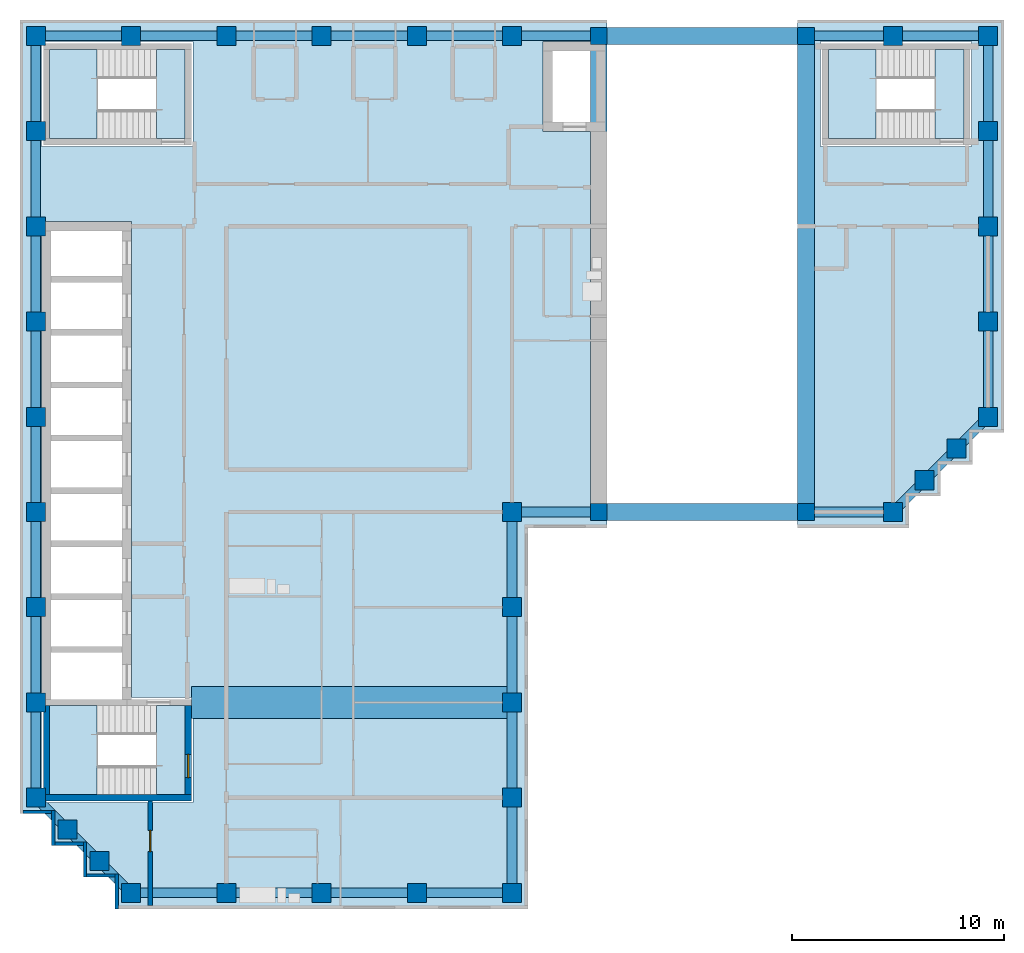
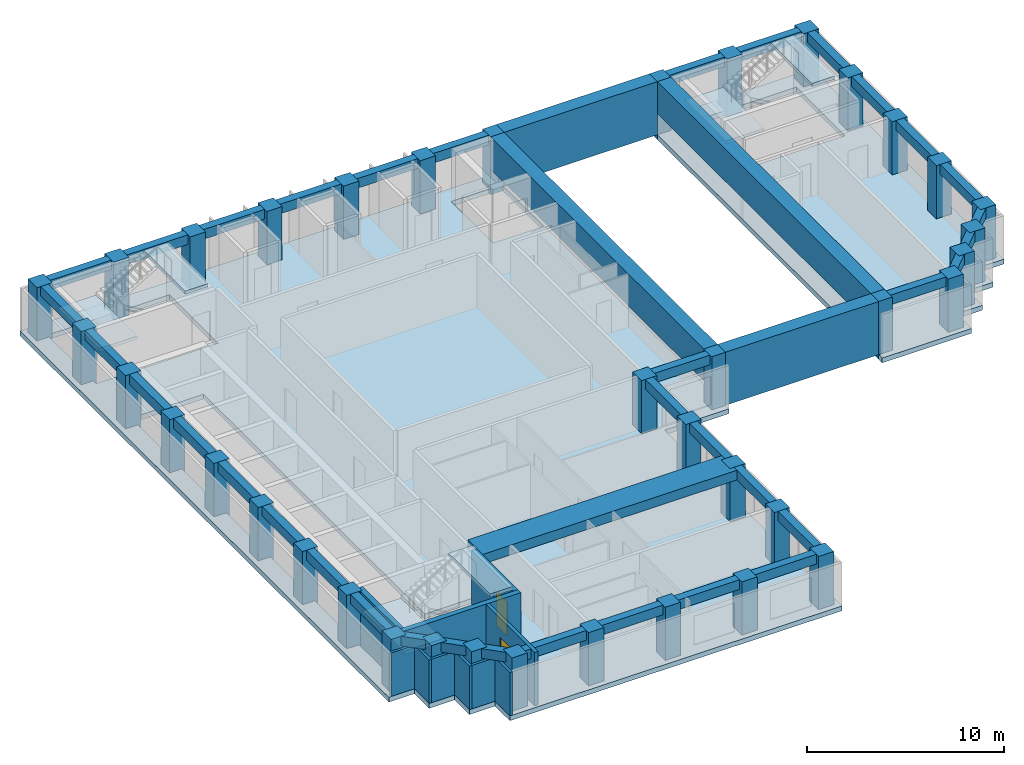
# One storey, part 1 of 7: 41 beams, 38 columns, 10 walls, 8 slabs, 2 doors, 2 openings, 3 elements without a shape of their own.
"""IFC4 building model written with IfcOpenShell, lengths in metres."""

import ifcopenshell
import ifcopenshell.guid

model = None  # the IFC model being written
_history = None  # IfcOwnerHistory: only IFC2X3 demands one
_inside = {}  # id of a spatial element -> (the spatial element, [elements in it])
_under = {}  # id of a project, library or spatial element -> (it, [spatial elements below it])
_declared = {}  # id of a project -> (the project, [libraries it declares])
_typed = {}  # id of a type object -> (the type object, [elements of that type])
_made_of = {}  # id of a material, layer set ... -> (it, [elements and type objects made of it])


def new_model(schema):
    """Start an empty IFC model of exactly this schema.

    Asked for "IFC4X3", IfcOpenShell would pick the latest addendum, in which some entities
    have other attributes; the version numbers below select the first issue.
    IFC2X3 requires an IfcOwnerHistory on every rooted entity: one is made here for all.
    """
    global model, _history
    if schema == "IFC4X3":
        model = ifcopenshell.file(schema_version=(4, 3, 0, 0))
    else:
        model = ifcopenshell.file(schema=schema)
    _inside.clear()
    _under.clear()
    _declared.clear()
    _typed.clear()
    _made_of.clear()
    _history = None
    if model.schema == "IFC2X3":
        org = make("IfcOrganization", Name="unknown")
        user = make(
            "IfcPersonAndOrganization",
            ThePerson=make("IfcPerson", FamilyName="unknown"),
            TheOrganization=org,
        )
        app = make(
            "IfcApplication",
            ApplicationDeveloper=org,
            Version="unknown",
            ApplicationFullName="unknown",
            ApplicationIdentifier="unknown",
        )
        _history = make(
            "IfcOwnerHistory",
            OwningUser=user,
            OwningApplication=app,
            ChangeAction="ADDED",
            CreationDate=0,
        )
    return model


def make(cls, **values):
    """One entity of the class cls with the attributes given. An attribute that is None is left unset."""
    return model.create_entity(
        cls, **{name: value for name, value in values.items() if value is not None}
    )


def rooted(cls, **values):
    """An entity with a GlobalId (a new one), such as an element, a storey or a relation."""
    return make(cls, GlobalId=ifcopenshell.guid.new(), OwnerHistory=_history, **values)


def si_unit(unit_type, name, prefix=None):
    """IfcSIUnit, for example si_unit("LENGTHUNIT", "METRE", prefix="MILLI")."""
    return make("IfcSIUnit", UnitType=unit_type, Prefix=prefix, Name=name)


def assignment(units):
    """IfcUnitAssignment: the units of a project."""
    return None if units is None else make("IfcUnitAssignment", Units=units)


def point(xyz):
    """IfcCartesianPoint."""
    return None if xyz is None else make("IfcCartesianPoint", Coordinates=xyz)


def direction(xyz):
    """IfcDirection."""
    return None if xyz is None else make("IfcDirection", DirectionRatios=xyz)


def frame(location, z_axis=None, x_axis=None):
    """IfcAxis2Placement3D, a coordinate frame: its origin and axes. An axis left out is left unset."""
    return make(
        "IfcAxis2Placement3D",
        Location=point(location),
        Axis=direction(z_axis),
        RefDirection=direction(x_axis),
    )


def frame_2d(location, x_axis=None):
    """IfcAxis2Placement2D, a coordinate frame in the plane: its origin and x axis."""
    return make(
        "IfcAxis2Placement2D", Location=point(location), RefDirection=direction(x_axis)
    )


def origin():
    """The frame at (0, 0, 0) with its axes left unset."""
    return frame((0.0, 0.0, 0.0))


def origin_2d():
    """The frame at (0, 0) in the plane with its x axis left unset."""
    return frame_2d((0.0, 0.0))


def place(relative_to, where):
    """IfcLocalPlacement: puts the frame where relative to a parent placement (None: the world)."""
    return make(
        "IfcLocalPlacement", PlacementRelTo=relative_to, RelativePlacement=where
    )


def context(
    kind, dimensions, precision=None, world=None, true_north=None, identifier=None
):
    """IfcGeometricRepresentationContext, for example the 3D "Model" context."""
    return make(
        "IfcGeometricRepresentationContext",
        ContextIdentifier=identifier,
        ContextType=kind,
        CoordinateSpaceDimension=dimensions,
        Precision=precision,
        WorldCoordinateSystem=world,
        TrueNorth=true_north,
    )


def subcontext(parent, identifier, kind, view, scale=None):
    """IfcGeometricRepresentationSubContext, for example "Body" below "Model"."""
    return make(
        "IfcGeometricRepresentationSubContext",
        ContextIdentifier=identifier,
        ContextType=kind,
        ParentContext=parent,
        TargetScale=scale,
        TargetView=view,
    )


def project(units=None, contexts=None):
    """IfcProject with its units and contexts."""
    return rooted(
        "IfcProject",
        Name="project",
        RepresentationContexts=contexts,
        UnitsInContext=assignment(units),
    )


def spatial(cls, under=None, at=None, **own):
    """A site, building, storey or space (cls), placed at a placement, below another one or the project."""
    s = rooted(cls, ObjectPlacement=at, **own)
    if under is not None:
        _under.setdefault(under.id(), (under, []))[1].append(s)
    return s


def polyline(points):
    """IfcPolyline through the points."""
    return make("IfcPolyline", Points=[point(p) for p in points])


def profile(cls, at=None, kind="AREA", **sizes):
    """A parametric profile (cls). Its sizes go by their IFC names, for example OverallWidth=200.0."""
    return make(cls, ProfileType=kind, Position=at, **sizes)


def rectangle(**sizes):
    """IfcRectangleProfileDef."""
    return profile("IfcRectangleProfileDef", **sizes)


def outline(outer, holes=None, kind="AREA"):
    """IfcArbitraryClosedProfileDef: a profile drawn as a closed curve; with holes, ...WithVoids."""
    if holes is None:
        return make("IfcArbitraryClosedProfileDef", ProfileType=kind, OuterCurve=outer)
    return make(
        "IfcArbitraryProfileDefWithVoids",
        ProfileType=kind,
        OuterCurve=outer,
        InnerCurves=holes,
    )


def extrude(swept, where, along, depth):
    """IfcExtrudedAreaSolid: the profile swept, set in the frame where, extruded along a direction by depth."""
    return make(
        "IfcExtrudedAreaSolid",
        SweptArea=swept,
        Position=where,
        ExtrudedDirection=direction(along),
        Depth=depth,
    )


def shape(context_of_items, identifier, shape_type, items):
    """IfcShapeRepresentation: the items that make up one representation, for example the "Body"."""
    return make(
        "IfcShapeRepresentation",
        ContextOfItems=context_of_items,
        RepresentationIdentifier=identifier,
        RepresentationType=shape_type,
        Items=items,
    )


def material(Name=None, Category=None):
    """IfcMaterial."""
    return make("IfcMaterial", Name=Name, Category=Category)


def layer(
    of_material, thickness, ventilated=None, Name=None, Category=None, Priority=None
):
    """IfcMaterialLayer: one layer of a wall or slab, of a material (None: an air gap)."""
    return make(
        "IfcMaterialLayer",
        Material=of_material,
        LayerThickness=thickness,
        IsVentilated=ventilated,
        Name=Name,
        Category=Category,
        Priority=Priority,
    )


def layer_set(layers, Name=None):
    """IfcMaterialLayerSet."""
    return make("IfcMaterialLayerSet", MaterialLayers=layers, LayerSetName=Name)


def material_profile(
    of_material, cross_section, Name=None, Category=None, Priority=None
):
    """IfcMaterialProfile: a cross section and its material."""
    return make(
        "IfcMaterialProfile",
        Name=Name,
        Material=of_material,
        Profile=cross_section,
        Priority=Priority,
        Category=Category,
    )


def profile_set(profiles, Name=None, composite=None):
    """IfcMaterialProfileSet."""
    return make(
        "IfcMaterialProfileSet",
        Name=Name,
        MaterialProfiles=profiles,
        CompositeProfile=composite,
    )


def made_of(thing, what):
    """Note that an element or type object is made of a material, layer set ...; save() writes the relation."""
    if what is not None:
        _made_of.setdefault(what.id(), (what, []))[1].append(thing)
    return thing


def type_object(cls, material=None, **own):
    """A type object (cls), such as IfcWallType, which elements share."""
    return made_of(rooted(cls, **own), material)


def element(
    cls,
    number,
    at=None,
    inside=None,
    cuts=None,
    type_object=None,
    material=None,
    context=None,
    identifier="Body",
    shape_type=None,
    held_by="IfcProductDefinitionShape",
    body=None,
    shapes=None,
    **own,
):
    """One element of the class cls, such as IfcWall. Its Tag is "e" and its number.

    at: its placement. inside: the storey or other place that contains it. cuts: it is an
    opening in that element (IfcRelVoidsElement). A single representation is given by context,
    identifier, shape_type and body (its items); several are given by shapes. held_by: the class
    of the entity that holds the representations. save() writes the other relations.
    """
    e = rooted(cls, Tag="e%d" % number, ObjectPlacement=at, **own)
    if body is not None:
        shapes = [shape(context, identifier, shape_type, body)]
    if shapes is not None:
        e.Representation = make(held_by, Representations=shapes)
    if inside is not None:
        _inside.setdefault(inside.id(), (inside, []))[1].append(e)
    if cuts is not None:
        rooted(
            "IfcRelVoidsElement", RelatingBuildingElement=cuts, RelatedOpeningElement=e
        )
    if type_object is not None:
        _typed.setdefault(type_object.id(), (type_object, []))[1].append(e)
    return made_of(e, material)


def fill(opening, filler):
    """IfcRelFillsElement: the door or window that sits in an opening."""
    return rooted(
        "IfcRelFillsElement",
        RelatingOpeningElement=opening,
        RelatedBuildingElement=filler,
    )


def aggregate(whole, parts):
    """IfcRelAggregates: a whole, such as a stair, and the parts it consists of."""
    return rooted("IfcRelAggregates", RelatingObject=whole, RelatedObjects=parts)


def save(model, path):
    """Write the relations noted so far, then the file.

    IfcRelAggregates (storeys below a building ...), IfcRelContainedInSpatialStructure (elements
    in a storey), IfcRelDefinesByType, IfcRelAssociatesMaterial and IfcRelDeclares: one each for
    every whole, place, type object, material and project.
    """
    for whole, parts in _under.values():
        aggregate(whole, parts)
    for where, things in _inside.values():
        rooted(
            "IfcRelContainedInSpatialStructure",
            RelatedElements=things,
            RelatingStructure=where,
        )
    for kind, things in _typed.values():
        rooted("IfcRelDefinesByType", RelatedObjects=things, RelatingType=kind)
    for what, things in _made_of.values():
        rooted("IfcRelAssociatesMaterial", RelatedObjects=things, RelatingMaterial=what)
    for by, libraries in _declared.values():
        rooted("IfcRelDeclares", RelatingContext=by, RelatedDefinitions=libraries)
    model.write(path)


model = new_model("IFC4")

# Units and contexts
model_context = context("Model", 3, precision=1e-05, world=origin(), true_north=direction((0.0, 1.0)))
body_context = subcontext(model_context, "Body", "Model", "MODEL_VIEW")
ifc_project = project(units=[si_unit("LENGTHUNIT", "METRE"), si_unit("AREAUNIT", "SQUARE_METRE"), si_unit("VOLUMEUNIT", "CUBIC_METRE"), si_unit("PLANEANGLEUNIT", "RADIAN"), si_unit("MASSUNIT", "GRAM", prefix="KILO")], contexts=[model_context])

# Site, building, storey
site_placement = place(None, origin())
site = spatial("IfcSite", under=ifc_project, at=site_placement, CompositionType="ELEMENT")
building_placement = place(site_placement, origin())
building = spatial("IfcBuilding", under=site, at=building_placement, Name="Firuza Court", CompositionType="ELEMENT")
storey_placement = place(building_placement, frame((0.0, 0.0, 247.39990234375)))
storey = spatial("IfcBuildingStorey", under=building, at=storey_placement, Name="L64", CompositionType="ELEMENT", Elevation=247.39990234375)

# Columns
ifc_material_1 = material(Name="Concrete C60/75", Category="concrete")
ifc_material_profile_1 = material_profile(ifc_material_1, rectangle(XDim=0.800048828125, YDim=0.800048828125, at=origin_2d()), Name="RC 800x800")
ifc_profile_set_1 = profile_set([ifc_material_profile_1], Name="Concrete C60/75")
column_type_1 = type_object("IfcColumnType", Name="Portal frame column RC 800x800 C60/75", PredefinedType="COLUMN", material=ifc_profile_set_1)
for number, where, z_axis, x_axis, name in (
    (1, (26.60009765625, 36.0, -0.2998046875), (0.0, 0.0, 1.0), (1.0, 0.0, 0.0), "Column C-PWS L64"),
    (2, (36.39990234375, 36.0, -0.2998046875), (0.0, 0.0, 1.0), (1.0, 0.0, 0.0), "Column C-PES L64"),
    (3, (26.60009765625, 58.5, -0.2998046875), (0.0, 0.0, 1.0), (1.0, 0.0, 0.0), "Column C-PWN L64"),
    (4, (36.39990234375, 58.5, -0.2998046875), (0.0, 0.0, 1.0), (1.0, 0.0, 0.0), "Column C-PEN L64"),
):
    element("IfcColumn", number, at=place(storey_placement, frame(where, z_axis=z_axis, x_axis=x_axis)), inside=storey, type_object=column_type_1, Name=name, PredefinedType="COLUMN", context=body_context, shape_type="SweptSolid", body=[
        extrude(rectangle(XDim=0.800048828125, YDim=0.800048828125, at=origin_2d()), origin(), (0.0, 0.0, 1.0), 3.599853515625),
    ])
ifc_material_2 = material(Name="Concrete C50/60", Category="concrete")
ifc_material_profile_2 = material_profile(ifc_material_2, rectangle(XDim=0.89990234375, YDim=0.89990234375, at=origin_2d()), Name="RC 900x900")
ifc_profile_set_2 = profile_set([ifc_material_profile_2], Name="Concrete C50/60")
column_type_2 = type_object("IfcColumnType", Name="Tube column RC 900x900 C50/60", PredefinedType="COLUMN", material=ifc_profile_set_2)
for number, where, z_axis, x_axis, name in (
    (5, (4.5, 18.0, -0.2998046875), (0.0, 0.0, 1.0), (1.0, 0.0, 0.0), "Column C-2H L64"),
    (6, (9.0, 18.0, -0.2998046875), (0.0, 0.0, 1.0), (1.0, 0.0, 0.0), "Column C-3H L64"),
    (7, (13.5, 18.0, -0.2998046875), (0.0, 0.0, 1.0), (1.0, 0.0, 0.0), "Column C-4H L64"),
    (8, (18.0, 18.0, -0.2998046875), (0.0, 0.0, 1.0), (1.0, 0.0, 0.0), "Column C-5H L64"),
    (9, (22.5, 18.0, -0.2998046875), (0.0, 0.0, 1.0), (1.0, 0.0, 0.0), "Column C-6H L64"),
    (10, (3.0, 19.5, -0.2998046875), (0.0, 0.0, 1.0), (1.0, 0.0, 0.0), "Column C-SA1 L64"),
    (11, (1.5, 21.0, -0.2998046875), (0.0, 0.0, 1.0), (1.0, 0.0, 0.0), "Column C-SA2 L64"),
    (12, (0.0, 22.5, -0.2998046875), (0.0, 0.0, 1.0), (1.0, 0.0, 0.0), "Column C-1J L64"),
    (13, (22.5, 22.5, -0.2998046875), (0.0, 0.0, 1.0), (1.0, 0.0, 0.0), "Column C-6J L64"),
    (14, (0.0, 27.0, -0.2998046875), (0.0, 0.0, 1.0), (1.0, 0.0, 0.0), "Column C-1K L64"),
    (15, (22.5, 27.0, -0.2998046875), (0.0, 0.0, 1.0), (1.0, 0.0, 0.0), "Column C-6K L64"),
    (16, (0.0, 31.5, -0.2998046875), (0.0, 0.0, 1.0), (1.0, 0.0, 0.0), "Column C-1L L64"),
    (17, (22.5, 31.5, -0.2998046875), (0.0, 0.0, 1.0), (1.0, 0.0, 0.0), "Column C-6L L64"),
    (18, (0.0, 36.0, -0.2998046875), (0.0, 0.0, 1.0), (1.0, 0.0, 0.0), "Column C-1M L64"),
    (19, (22.5, 36.0, -0.2998046875), (0.0, 0.0, 1.0), (1.0, 0.0, 0.0), "Column C-6M L64"),
    (20, (40.5, 36.0, -0.2998046875), (0.0, 0.0, 1.0), (1.0, 0.0, 0.0), "Column C-10M L64"),
    (21, (42.0, 37.5, -0.2998046875), (0.0, 0.0, 1.0), (1.0, 0.0, 0.0), "Column C-SA3 L64"),
    (22, (43.5, 39.0, -0.2998046875), (0.0, 0.0, 1.0), (1.0, 0.0, 0.0), "Column C-SA4 L64"),
    (23, (0.0, 40.5, -0.2998046875), (0.0, 0.0, 1.0), (1.0, 0.0, 0.0), "Column C-1N L64"),
    (24, (45.0, 40.5, -0.2998046875), (0.0, 0.0, 1.0), (1.0, 0.0, 0.0), "Column C-11N L64"),
    (25, (0.0, 45.0, -0.2998046875), (0.0, 0.0, 1.0), (1.0, 0.0, 0.0), "Column C-1P L64"),
    (26, (45.0, 45.0, -0.2998046875), (0.0, 0.0, 1.0), (1.0, 0.0, 0.0), "Column C-11P L64"),
    (27, (0.0, 49.5, -0.2998046875), (0.0, 0.0, 1.0), (1.0, 0.0, 0.0), "Column C-1Q L64"),
    (28, (45.0, 49.5, -0.2998046875), (0.0, 0.0, 1.0), (1.0, 0.0, 0.0), "Column C-11Q L64"),
    (29, (0.0, 54.0, -0.2998046875), (0.0, 0.0, 1.0), (1.0, 0.0, 0.0), "Column C-1R L64"),
    (30, (45.0, 54.0, -0.2998046875), (0.0, 0.0, 1.0), (1.0, 0.0, 0.0), "Column C-11R L64"),
    (31, (0.0, 58.5, -0.2998046875), (0.0, 0.0, 1.0), (1.0, 0.0, 0.0), "Column C-1S L64"),
    (32, (4.5, 58.5, -0.2998046875), (0.0, 0.0, 1.0), (1.0, 0.0, 0.0), "Column C-2S L64"),
    (33, (9.0, 58.5, -0.2998046875), (0.0, 0.0, 1.0), (1.0, 0.0, 0.0), "Column C-3S L64"),
    (34, (13.5, 58.5, -0.2998046875), (0.0, 0.0, 1.0), (1.0, 0.0, 0.0), "Column C-4S L64"),
    (35, (18.0, 58.5, -0.2998046875), (0.0, 0.0, 1.0), (1.0, 0.0, 0.0), "Column C-5S L64"),
    (36, (22.5, 58.5, -0.2998046875), (0.0, 0.0, 1.0), (1.0, 0.0, 0.0), "Column C-6S L64"),
    (37, (40.5, 58.5, -0.2998046875), (0.0, 0.0, 1.0), (1.0, 0.0, 0.0), "Column C-10S L64"),
    (38, (45.0, 58.5, -0.2998046875), (0.0, 0.0, 1.0), (1.0, 0.0, 0.0), "Column C-11S L64"),
):
    element("IfcColumn", number, at=place(storey_placement, frame(where, z_axis=z_axis, x_axis=x_axis)), inside=storey, type_object=column_type_2, Name=name, PredefinedType="COLUMN", context=body_context, shape_type="SweptSolid", body=[
        extrude(rectangle(XDim=0.89990234375, YDim=0.89990234375, at=origin_2d()), origin(), (0.0, 0.0, 1.0), 3.599853515625),
    ])

# Beams
ifc_material_3 = material(Name="Concrete C40/50", Category="concrete")
ifc_material_profile_3 = material_profile(ifc_material_3, rectangle(XDim=1.5, YDim=0.60009765625, at=origin_2d()), Name="RC 1500x600")
ifc_profile_set_3 = profile_set([ifc_material_profile_3], Name="Concrete C40/50")
beam_type_1 = type_object("IfcBeamType", Name="Band beam RC 1500x600 C40/50", PredefinedType="BEAM", material=ifc_profile_set_3)
beam_1_placement = place(storey_placement, frame((22.5, 27.0, 3.0), z_axis=(-1.0, 0.0, 0.0), x_axis=(0.0, -1.0, 0.0)))
element("IfcBeam", 39, at=beam_1_placement, inside=storey, type_object=beam_type_1, Name="Band beam FB3 level L65", PredefinedType="BEAM", context=body_context, shape_type="SweptSolid", body=[
    extrude(rectangle(XDim=1.5, YDim=0.60009765625, at=origin_2d()), origin(), (0.0, 0.0, 1.0), 15.14990234375),
])
ifc_material_4 = material(Name="Concrete C60/75", Category="concrete")
ifc_material_profile_4 = material_profile(ifc_material_4, rectangle(XDim=0.800048828125, YDim=2.0, at=origin_2d()), Name="RC 800x2000")
ifc_profile_set_4 = profile_set([ifc_material_profile_4], Name="Concrete C60/75")
beam_type_2 = type_object("IfcBeamType", Name="Portal side girder RC 800x2000 C60/75", PredefinedType="USERDEFINED", material=ifc_profile_set_4)
for number, where, z_axis, x_axis, name in (
    (40, (26.60009765625, 36.0, 2.300048828125), (0.0, 1.0, 0.0), (-1.0, 0.0, 0.0), "Portal side girder PS1 level L65"),
    (41, (36.39990234375, 36.0, 2.300048828125), (0.0, 1.0, 0.0), (-1.0, 0.0, 0.0), "Portal side girder PS1 level L65"),
):
    element("IfcBeam", number, at=place(storey_placement, frame(where, z_axis=z_axis, x_axis=x_axis)), inside=storey, type_object=beam_type_2, Name=name, ObjectType="TRANSFER GIRDER", PredefinedType="USERDEFINED", context=body_context, shape_type="SweptSolid", body=[
        extrude(rectangle(XDim=0.800048828125, YDim=2.0, at=origin_2d()), origin(), (0.0, 0.0, 1.0), 22.5),
    ])
ifc_material_5 = material(Name="Concrete C40/50", Category="concrete")
ifc_material_profile_5 = material_profile(ifc_material_5, rectangle(XDim=0.449951171875, YDim=0.60009765625, at=origin_2d()), Name="RC 450x600")
ifc_profile_set_5 = profile_set([ifc_material_profile_5], Name="Concrete C40/50")
beam_type_3 = type_object("IfcBeamType", Name="Spandrel beam RC 450x600 C40/50", PredefinedType="BEAM", material=ifc_profile_set_5)
beam_2_placement = place(storey_placement, frame((0.0, 22.5, 3.0), z_axis=(0.707106781187, -0.707106781187, 0.0), x_axis=(0.707106781187, 0.707106781187, 0.0)))
element("IfcBeam", 42, at=beam_2_placement, inside=storey, type_object=beam_type_3, Name="Spandrel beam SP15 level L65", PredefinedType="BEAM", context=body_context, shape_type="SweptSolid", body=[
    extrude(rectangle(XDim=0.449951171875, YDim=0.60009765625, at=origin_2d()), origin(), (0.0, 0.0, 1.0), 2.121337890625),
])
for number, where, z_axis, x_axis, name in (
    (43, (0.0, 27.0, 3.0), (0.0, -1.0, 0.0), (1.0, 0.0, 0.0), "Spandrel beam SP15 level L65"),
    (44, (0.0, 31.5, 3.0), (0.0, -1.0, 0.0), (1.0, 0.0, 0.0), "Spandrel beam SP15 level L65"),
    (45, (0.0, 36.0, 3.0), (0.0, -1.0, 0.0), (1.0, 0.0, 0.0), "Spandrel beam SP15 level L65"),
    (46, (0.0, 40.5, 3.0), (0.0, -1.0, 0.0), (1.0, 0.0, 0.0), "Spandrel beam SP15 level L65"),
    (47, (0.0, 45.0, 3.0), (0.0, -1.0, 0.0), (1.0, 0.0, 0.0), "Spandrel beam SP15 level L65"),
    (48, (0.0, 49.5, 3.0), (0.0, -1.0, 0.0), (1.0, 0.0, 0.0), "Spandrel beam SP15 level L65"),
    (49, (0.0, 54.0, 3.0), (0.0, -1.0, 0.0), (1.0, 0.0, 0.0), "Spandrel beam SP15 level L65"),
    (50, (0.0, 58.5, 3.0), (0.0, -1.0, 0.0), (1.0, 0.0, 0.0), "Spandrel beam SP15 level L65"),
):
    element("IfcBeam", number, at=place(storey_placement, frame(where, z_axis=z_axis, x_axis=x_axis)), inside=storey, type_object=beam_type_3, Name=name, PredefinedType="BEAM", context=body_context, shape_type="SweptSolid", body=[
        extrude(rectangle(XDim=0.449951171875, YDim=0.60009765625, at=origin_2d()), origin(), (0.0, 0.0, 1.0), 4.5),
    ])
for number, where, z_axis, x_axis, name in (
    (51, (1.5, 21.0, 3.0), (0.707106781187, -0.707106781187, 0.0), (0.707106781187, 0.707106781187, 0.0), "Spandrel beam SP15 level L65"),
    (52, (3.0, 19.5, 3.0), (0.707106781187, -0.707106781187, 0.0), (0.707106781187, 0.707106781187, 0.0), "Spandrel beam SP15 level L65"),
):
    element("IfcBeam", number, at=place(storey_placement, frame(where, z_axis=z_axis, x_axis=x_axis)), inside=storey, type_object=beam_type_3, Name=name, PredefinedType="BEAM", context=body_context, shape_type="SweptSolid", body=[
        extrude(rectangle(XDim=0.449951171875, YDim=0.60009765625, at=origin_2d()), origin(), (0.0, 0.0, 1.0), 2.121337890625),
    ])
for number, where, z_axis, x_axis, name in (
    (53, (4.5, 18.0, 3.0), (1.0, 0.0, 0.0), (0.0, 1.0, 0.0), "Spandrel beam SP15 level L65"),
    (54, (4.5, 58.5, 3.0), (-1.0, 0.0, 0.0), (0.0, -1.0, 0.0), "Spandrel beam SP15 level L65"),
    (55, (9.0, 18.0, 3.0), (1.0, 0.0, 0.0), (0.0, 1.0, 0.0), "Spandrel beam SP15 level L65"),
    (56, (9.0, 58.5, 3.0), (-1.0, 0.0, 0.0), (0.0, -1.0, 0.0), "Spandrel beam SP15 level L65"),
    (57, (13.5, 18.0, 3.0), (1.0, 0.0, 0.0), (0.0, 1.0, 0.0), "Spandrel beam SP15 level L65"),
    (58, (13.5, 58.5, 3.0), (-1.0, 0.0, 0.0), (0.0, -1.0, 0.0), "Spandrel beam SP15 level L65"),
    (59, (18.0, 18.0, 3.0), (1.0, 0.0, 0.0), (0.0, 1.0, 0.0), "Spandrel beam SP15 level L65"),
    (60, (18.0, 58.5, 3.0), (-1.0, 0.0, 0.0), (0.0, -1.0, 0.0), "Spandrel beam SP15 level L65"),
    (61, (22.5, 18.0, 3.0), (0.0, 1.0, 0.0), (-1.0, 0.0, 0.0), "Spandrel beam SP15 level L65"),
    (62, (22.5, 22.5, 3.0), (0.0, 1.0, 0.0), (-1.0, 0.0, 0.0), "Spandrel beam SP15 level L65"),
    (63, (22.5, 27.0, 3.0), (0.0, 1.0, 0.0), (-1.0, 0.0, 0.0), "Spandrel beam SP15 level L65"),
    (64, (22.5, 31.5, 3.0), (0.0, 1.0, 0.0), (-1.0, 0.0, 0.0), "Spandrel beam SP15 level L65"),
):
    element("IfcBeam", number, at=place(storey_placement, frame(where, z_axis=z_axis, x_axis=x_axis)), inside=storey, type_object=beam_type_3, Name=name, PredefinedType="BEAM", context=body_context, shape_type="SweptSolid", body=[
        extrude(rectangle(XDim=0.449951171875, YDim=0.60009765625, at=origin_2d()), origin(), (0.0, 0.0, 1.0), 4.5),
    ])
beam_3_placement = place(storey_placement, frame((22.5, 36.0, 3.0), z_axis=(1.0, 0.0, 0.0), x_axis=(0.0, 1.0, 0.0)))
element("IfcBeam", 65, at=beam_3_placement, inside=storey, type_object=beam_type_3, Name="Spandrel beam SP15 level L65", PredefinedType="BEAM", context=body_context, shape_type="SweptSolid", body=[
    extrude(rectangle(XDim=0.449951171875, YDim=0.60009765625, at=origin_2d()), origin(), (0.0, 0.0, 1.0), 4.10009765625),
])
beam_4_placement = place(storey_placement, frame((22.5, 58.5, 3.0), z_axis=(-1.0, 0.0, 0.0), x_axis=(0.0, -1.0, 0.0)))
element("IfcBeam", 66, at=beam_4_placement, inside=storey, type_object=beam_type_3, Name="Spandrel beam SP15 level L65", PredefinedType="BEAM", context=body_context, shape_type="SweptSolid", body=[
    extrude(rectangle(XDim=0.449951171875, YDim=0.60009765625, at=origin_2d()), origin(), (0.0, 0.0, 1.0), 4.5),
])
for number, where, z_axis, x_axis, name in (
    (67, (26.60009765625, 58.5, 3.0), (-1.0, 0.0, 0.0), (0.0, -1.0, 0.0), "Spandrel beam SP15 level L65"),
    (68, (36.39990234375, 36.0, 3.0), (1.0, 0.0, 0.0), (0.0, 1.0, 0.0), "Spandrel beam SP15 level L65"),
):
    element("IfcBeam", number, at=place(storey_placement, frame(where, z_axis=z_axis, x_axis=x_axis)), inside=storey, type_object=beam_type_3, Name=name, PredefinedType="BEAM", context=body_context, shape_type="SweptSolid", body=[
        extrude(rectangle(XDim=0.449951171875, YDim=0.60009765625, at=origin_2d()), origin(), (0.0, 0.0, 1.0), 4.10009765625),
    ])
beam_5_placement = place(storey_placement, frame((40.5, 36.0, 3.0), z_axis=(0.707106781187, 0.707106781187, 0.0), x_axis=(-0.707106781187, 0.707106781187, 0.0)))
element("IfcBeam", 69, at=beam_5_placement, inside=storey, type_object=beam_type_3, Name="Spandrel beam SP15 level L65", PredefinedType="BEAM", context=body_context, shape_type="SweptSolid", body=[
    extrude(rectangle(XDim=0.449951171875, YDim=0.60009765625, at=origin_2d()), origin(), (0.0, 0.0, 1.0), 2.121337890625),
])
beam_6_placement = place(storey_placement, frame((40.5, 58.5, 3.0), z_axis=(-1.0, 0.0, 0.0), x_axis=(0.0, -1.0, 0.0)))
element("IfcBeam", 70, at=beam_6_placement, inside=storey, type_object=beam_type_3, Name="Spandrel beam SP15 level L65", PredefinedType="BEAM", context=body_context, shape_type="SweptSolid", body=[
    extrude(rectangle(XDim=0.449951171875, YDim=0.60009765625, at=origin_2d()), origin(), (0.0, 0.0, 1.0), 4.10009765625),
])
for number, where, z_axis, x_axis, name in (
    (71, (42.0, 37.5, 3.0), (0.707106781187, 0.707106781187, 0.0), (-0.707106781187, 0.707106781187, 0.0), "Spandrel beam SP15 level L65"),
    (72, (43.5, 39.0, 3.0), (0.707106781187, 0.707106781187, 0.0), (-0.707106781187, 0.707106781187, 0.0), "Spandrel beam SP15 level L65"),
):
    element("IfcBeam", number, at=place(storey_placement, frame(where, z_axis=z_axis, x_axis=x_axis)), inside=storey, type_object=beam_type_3, Name=name, PredefinedType="BEAM", context=body_context, shape_type="SweptSolid", body=[
        extrude(rectangle(XDim=0.449951171875, YDim=0.60009765625, at=origin_2d()), origin(), (0.0, 0.0, 1.0), 2.121337890625),
    ])
for number, where, z_axis, x_axis, name in (
    (73, (45.0, 40.5, 3.0), (0.0, 1.0, 0.0), (-1.0, 0.0, 0.0), "Spandrel beam SP15 level L65"),
    (74, (45.0, 45.0, 3.0), (0.0, 1.0, 0.0), (-1.0, 0.0, 0.0), "Spandrel beam SP15 level L65"),
    (75, (45.0, 49.5, 3.0), (0.0, 1.0, 0.0), (-1.0, 0.0, 0.0), "Spandrel beam SP15 level L65"),
    (76, (45.0, 54.0, 3.0), (0.0, 1.0, 0.0), (-1.0, 0.0, 0.0), "Spandrel beam SP15 level L65"),
    (77, (45.0, 58.5, 3.0), (-1.0, 0.0, 0.0), (0.0, -1.0, 0.0), "Spandrel beam SP15 level L65"),
):
    element("IfcBeam", number, at=place(storey_placement, frame(where, z_axis=z_axis, x_axis=x_axis)), inside=storey, type_object=beam_type_3, Name=name, PredefinedType="BEAM", context=body_context, shape_type="SweptSolid", body=[
        extrude(rectangle(XDim=0.449951171875, YDim=0.60009765625, at=origin_2d()), origin(), (0.0, 0.0, 1.0), 4.5),
    ])
ifc_material_6 = material(Name="Concrete C70/85", Category="concrete")
ifc_material_profile_6 = material_profile(ifc_material_6, rectangle(XDim=0.800048828125, YDim=3.300048828125, at=origin_2d()), Name="RC 800x3300")
ifc_profile_set_6 = profile_set([ifc_material_profile_6], Name="Concrete C70/85")
beam_type_4 = type_object("IfcBeamType", Name="Transfer girder RC 800x3300 C70/85", PredefinedType="USERDEFINED", material=ifc_profile_set_6)
for number, where, z_axis, x_axis, name in (
    (78, (26.60009765625, 36.0, 1.650146484375), (1.0, 0.0, 0.0), (0.0, 1.0, 0.0), "Transfer girder TG7 level L65"),
    (79, (36.39990234375, 58.5, 1.650146484375), (-1.0, 0.0, 0.0), (0.0, -1.0, 0.0), "Transfer girder TG7 level L65"),
):
    element("IfcBeam", number, at=place(storey_placement, frame(where, z_axis=z_axis, x_axis=x_axis)), inside=storey, type_object=beam_type_4, Name=name, ObjectType="TRANSFER GIRDER", PredefinedType="USERDEFINED", context=body_context, shape_type="SweptSolid", body=[
        extrude(rectangle(XDim=0.800048828125, YDim=3.300048828125, at=origin_2d()), origin(), (0.0, 0.0, 1.0), 9.7998046875),
    ])

# Slabs
ifc_material_7 = material(Name="Concrete C40/50", Category="concrete")
ifc_layer_1 = layer(ifc_material_7, 0.300048828125)
ifc_layer_set_1 = layer_set([ifc_layer_1], Name="Concrete C40/50")
slab_type_1 = type_object("IfcSlabType", Name="Floor slab 300 C40/50", PredefinedType="FLOOR", material=ifc_layer_set_1)
slab_1_placement = place(storey_placement, frame((0.0, 0.0, -0.2998046875)))
element("IfcSlab", 80, at=slab_1_placement, inside=storey, type_object=slab_type_1, Name="Floor slab L64", PredefinedType="FLOOR", context=body_context, shape_type="SweptSolid", body=[
    extrude(outline(polyline([(27.0, 59.25), (27.0, 35.25), (23.25, 35.25), (23.25, 17.25), (3.75, 17.25), (3.75, 18.75), (2.25, 18.75), (2.25, 20.25), (0.75, 20.25), (0.75, 21.75), (-0.75, 21.75), (-0.75, 59.25), (27.0, 59.25)]), holes=[polyline([(0.27490234375, 34.27490234375), (0.27490234375, 32.22509765625), (0.27490234375, 31.77490234375), (0.27490234375, 29.72509765625), (0.27490234375, 29.27490234375), (0.27490234375, 27.22509765625), (0.27490234375, 26.77490234375), (0.27490234375, 22.27490234375), (7.425048828125, 22.27490234375), (7.425048828125, 27.22509765625), (4.52490234375, 27.22509765625), (4.52490234375, 29.27490234375), (4.52490234375, 29.72509765625), (4.52490234375, 31.77490234375), (4.52490234375, 32.22509765625), (4.52490234375, 34.27490234375), (4.52490234375, 34.72509765625), (4.52490234375, 36.77490234375), (4.52490234375, 37.22509765625), (4.52490234375, 39.27490234375), (4.52490234375, 39.72509765625), (4.52490234375, 41.77490234375), (4.52490234375, 42.22509765625), (4.52490234375, 44.27490234375), (4.52490234375, 44.72509765625), (4.52490234375, 46.77490234375), (4.52490234375, 47.22509765625), (4.52490234375, 49.72509765625), (0.27490234375, 49.72509765625), (0.27490234375, 47.22509765625), (0.27490234375, 46.77490234375), (0.27490234375, 44.72509765625), (0.27490234375, 44.27490234375), (0.27490234375, 42.22509765625), (0.27490234375, 41.77490234375), (0.27490234375, 39.72509765625), (0.27490234375, 39.27490234375), (0.27490234375, 37.22509765625), (0.27490234375, 36.77490234375), (0.27490234375, 34.72509765625), (0.27490234375, 34.27490234375)]), polyline([(7.425048828125, 58.22509765625), (0.27490234375, 58.22509765625), (0.27490234375, 53.27490234375), (7.425048828125, 53.27490234375), (7.425048828125, 58.22509765625)]), polyline([(26.925048828125, 58.22509765625), (23.97509765625, 58.22509765625), (23.97509765625, 53.97509765625), (26.925048828125, 53.97509765625), (26.925048828125, 58.22509765625)])]), origin(), (0.0, 0.0, 1.0), 0.2998046875),
])
slab_2_placement = place(storey_placement, frame((0.0, 0.0, -0.2998046875)))
element("IfcSlab", 81, at=slab_2_placement, inside=storey, type_object=slab_type_1, Name="Floor slab L64", PredefinedType="FLOOR", context=body_context, shape_type="SweptSolid", body=[
    extrude(outline(polyline([(45.75, 39.75), (44.25, 39.75), (44.25, 38.25), (42.75, 38.25), (42.75, 36.75), (41.25, 36.75), (41.25, 35.25), (36.0, 35.25), (36.0, 59.25), (45.75, 59.25), (45.75, 39.75)]), holes=[polyline([(44.22509765625, 58.22509765625), (37.074951171875, 58.22509765625), (37.074951171875, 53.27490234375), (44.22509765625, 53.27490234375), (44.22509765625, 58.22509765625)])]), origin(), (0.0, 0.0, 1.0), 0.2998046875),
])

# Stair, slabs
ifc_material_8 = material(Name="Concrete C40/50 precast", Category="concrete")
stair_type = type_object("IfcStairType", Name="Stair 1350 x 3600 2 flights", PredefinedType="HALF_TURN_STAIR", material=ifc_material_8)
stair_1_placement = place(storey_placement, origin())
stair_1 = element("IfcStair", 82, at=stair_1_placement, inside=storey, type_object=stair_type, Name="Stair 1 L64", PredefinedType="HALF_TURN_STAIR")
ifc_material_9 = material(Name="Concrete C40/50 precast", Category="concrete")
ifc_layer_2 = layer(ifc_material_9, 0.199951171875)
ifc_layer_set_2 = layer_set([ifc_layer_2], Name="Concrete C40/50 precast")
slab_type_2 = type_object("IfcSlabType", Name="Stair landing 200", PredefinedType="LANDING", material=ifc_layer_set_2)
slab_3_placement = place(storey_placement, frame((0.0, 0.0, 1.60009765625)))
slab_3 = element("IfcSlab", 83, at=slab_3_placement, type_object=slab_type_2, Name="S1 landing 1", PredefinedType="LANDING", context=body_context, shape_type="SweptSolid", body=[
    extrude(outline(polyline([(39.699951171875, 53.64990234375), (39.699951171875, 57.85009765625), (37.449951171875, 57.85009765625), (37.449951171875, 53.64990234375), (39.699951171875, 53.64990234375)])), origin(), (0.0, 0.0, 1.0), 0.199951171875),
])
slab_4_placement = place(storey_placement, frame((0.0, 0.0, 3.400146484375)))
slab_4 = element("IfcSlab", 84, at=slab_4_placement, type_object=slab_type_2, Name="S1 landing 2", PredefinedType="LANDING", context=body_context, shape_type="SweptSolid", body=[
    extrude(outline(polyline([(43.85009765625, 53.64990234375), (43.85009765625, 57.85009765625), (42.5, 57.85009765625), (42.5, 53.64990234375), (43.85009765625, 53.64990234375)])), origin(), (0.0, 0.0, 1.0), 0.199951171875),
])
aggregate(stair_1, [slab_3, slab_4])

stair_2_placement = place(storey_placement, origin())
stair_2 = element("IfcStair", 85, at=stair_2_placement, inside=storey, type_object=stair_type, Name="Stair 2 L64", PredefinedType="HALF_TURN_STAIR")
slab_5_placement = place(storey_placement, frame((0.0, 0.0, 1.60009765625)))
slab_5 = element("IfcSlab", 86, at=slab_5_placement, type_object=slab_type_2, Name="S2 landing 1", PredefinedType="LANDING", context=body_context, shape_type="SweptSolid", body=[
    extrude(outline(polyline([(2.89990234375, 22.64990234375), (2.89990234375, 26.85009765625), (0.64990234375, 26.85009765625), (0.64990234375, 22.64990234375), (2.89990234375, 22.64990234375)])), origin(), (0.0, 0.0, 1.0), 0.199951171875),
])
slab_6_placement = place(storey_placement, frame((0.0, 0.0, 3.400146484375)))
slab_6 = element("IfcSlab", 87, at=slab_6_placement, type_object=slab_type_2, Name="S2 landing 2", PredefinedType="LANDING", context=body_context, shape_type="SweptSolid", body=[
    extrude(outline(polyline([(7.050048828125, 22.64990234375), (7.050048828125, 26.85009765625), (5.699951171875, 26.85009765625), (5.699951171875, 22.64990234375), (7.050048828125, 22.64990234375)])), origin(), (0.0, 0.0, 1.0), 0.199951171875),
])
aggregate(stair_2, [slab_5, slab_6])

stair_3_placement = place(storey_placement, origin())
stair_3 = element("IfcStair", 88, at=stair_3_placement, inside=storey, type_object=stair_type, Name="Stair 3 L64", PredefinedType="HALF_TURN_STAIR")
slab_7_placement = place(storey_placement, frame((0.0, 0.0, 1.60009765625)))
slab_7 = element("IfcSlab", 89, at=slab_7_placement, type_object=slab_type_2, Name="S3 landing 1", PredefinedType="LANDING", context=body_context, shape_type="SweptSolid", body=[
    extrude(outline(polyline([(2.89990234375, 53.64990234375), (2.89990234375, 57.85009765625), (0.64990234375, 57.85009765625), (0.64990234375, 53.64990234375), (2.89990234375, 53.64990234375)])), origin(), (0.0, 0.0, 1.0), 0.199951171875),
])
slab_8_placement = place(storey_placement, frame((0.0, 0.0, 3.400146484375)))
slab_8 = element("IfcSlab", 90, at=slab_8_placement, type_object=slab_type_2, Name="S3 landing 2", PredefinedType="LANDING", context=body_context, shape_type="SweptSolid", body=[
    extrude(outline(polyline([(7.050048828125, 53.64990234375), (7.050048828125, 57.85009765625), (5.699951171875, 57.85009765625), (5.699951171875, 53.64990234375), (7.050048828125, 53.64990234375)])), origin(), (0.0, 0.0, 1.0), 0.199951171875),
])
aggregate(stair_3, [slab_7, slab_8])

# Walls
ifc_material_10 = material(Name="Concrete C50/60", Category="concrete")
ifc_layer_3 = layer(ifc_material_10, 0.300048828125)
ifc_layer_set_3 = layer_set([ifc_layer_3], Name="Concrete C50/60")
wall_type_1 = type_object("IfcWallType", Name="Core wall 300 C50/60", PredefinedType="SHEAR", material=ifc_layer_set_3)
wall_1_placement = place(storey_placement, frame((0.35009765625, 22.5, -0.2998046875), z_axis=(0.0, 0.0, 1.0), x_axis=(1.0, 0.0, 0.0)))
element("IfcWall", 91, at=wall_1_placement, inside=storey, type_object=wall_type_1, Name="Core wall stair L64", PredefinedType="SHEAR", context=body_context, shape_type="SweptSolid", body=[
    extrude(rectangle(XDim=7.0, YDim=0.300048828125, at=frame_2d((3.5, 0.0))), origin(), (0.0, 0.0, 1.0), 3.599853515625),
])
wall_2_placement = place(storey_placement, frame((0.5, 22.64990234375, -0.2998046875), z_axis=(0.0, 0.0, 1.0), x_axis=(0.0, 1.0, 0.0)))
element("IfcWall", 92, at=wall_2_placement, inside=storey, type_object=wall_type_1, Name="Core wall stair L64", PredefinedType="SHEAR", context=body_context, shape_type="SweptSolid", body=[
    extrude(rectangle(XDim=4.2001953125, YDim=0.300048828125, at=frame_2d((2.10009765625, 0.0))), origin(), (0.0, 0.0, 1.0), 3.599853515625),
])

# Wall, opening, door
wall_3_placement = place(storey_placement, frame((7.199951171875, 22.64990234375, -0.2998046875), z_axis=(0.0, 0.0, 1.0), x_axis=(0.0, 1.0, 0.0)))
wall_3 = element("IfcWall", 93, at=wall_3_placement, inside=storey, type_object=wall_type_1, Name="Core wall stair L64", PredefinedType="SHEAR", context=body_context, shape_type="SweptSolid", body=[
    extrude(rectangle(XDim=4.2001953125, YDim=0.300048828125, at=frame_2d((2.10009765625, 0.0))), origin(), (0.0, 0.0, 1.0), 3.599853515625),
])
opening_1_placement = place(wall_3_placement, frame((0.800048828125, 0.0, 0.300048828125)))
opening_1 = element("IfcOpeningElement", 94, at=opening_1_placement, cuts=wall_3, Name="Opening D64010", PredefinedType="OPENING", context=body_context, shape_type="SweptSolid", body=[
    extrude(rectangle(XDim=1.10009765625, YDim=2.10009765625, at=frame_2d((0.550048828125, 1.050048828125))), frame((0.0, 0.162109375, 0.0), z_axis=(0.0, -1.0, 0.0), x_axis=(1.0, 0.0, 0.0)), (0.0, 0.0, 1.0), 0.323974609375),
])
ifc_material_11 = material(Name="Timber door leaf in hardwood frame", Category="wood")
door_type_1 = type_object("IfcDoorType", Name="Stair door 1100", OperationType="SINGLE_SWING_LEFT", PredefinedType="DOOR", material=ifc_material_11)
door_1_placement = place(opening_1_placement, origin())
door_1 = element("IfcDoor", 95, at=door_1_placement, inside=storey, type_object=door_type_1, Name="Stair door S2", OperationType="SINGLE_SWING_LEFT", OverallHeight=2.10009765625, OverallWidth=1.10009765625, PredefinedType="DOOR", context=body_context, shape_type="SweptSolid", body=[
    extrude(rectangle(XDim=1.10009765625, YDim=2.10009765625, at=frame_2d((0.550048828125, 1.050048828125))), frame((0.0, 0.02490234375, 0.0), z_axis=(0.0, -1.0, 0.0), x_axis=(1.0, 0.0, 0.0)), (0.0, 0.0, 1.0), 0.050048828125),
])
fill(opening_1, door_1)

ifc_material_12 = material(Name="Blockwork, plastered both sides", Category="masonry")
ifc_layer_4 = layer(ifc_material_12, 0.199951171875)
ifc_layer_set_4 = layer_set([ifc_layer_4], Name="Blockwork, plastered both sides")
wall_type_2 = type_object("IfcWallType", Name="Corridor wall 200", PredefinedType="PARTITIONING", material=ifc_layer_set_4)
wall_4_placement = place(storey_placement, frame((5.39990234375, 17.39990234375, 0.0), z_axis=(0.0, 0.0, 1.0), x_axis=(0.0, 1.0, 0.0)))
wall_4 = element("IfcWall", 96, at=wall_4_placement, inside=storey, type_object=wall_type_2, Name="Corridor wall 200 L64", PredefinedType="PARTITIONING", context=body_context, shape_type="SweptSolid", body=[
    extrude(rectangle(XDim=4.9501953125, YDim=0.199951171875, at=frame_2d((2.47509765625, 0.0))), origin(), (0.0, 0.0, 1.0), 3.300048828125),
])
opening_2_placement = place(wall_4_placement, frame((2.550048828125, 0.0, 0.0)))
opening_2 = element("IfcOpeningElement", 97, at=opening_2_placement, cuts=wall_4, Name="Opening D64012", PredefinedType="OPENING", context=body_context, shape_type="SweptSolid", body=[
    extrude(rectangle(XDim=1.0, YDim=2.10009765625, at=frame_2d((0.5, 1.050048828125))), frame((0.0, 0.11181640625, 0.0), z_axis=(0.0, -1.0, 0.0), x_axis=(1.0, 0.0, 0.0)), (0.0, 0.0, 1.0), 0.223876953125),
])
ifc_material_13 = material(Name="Timber door leaf in hardwood frame", Category="wood")
door_type_2 = type_object("IfcDoorType", Name="Store door 1000", OperationType="SINGLE_SWING_LEFT", PredefinedType="DOOR", material=ifc_material_13)
door_2_placement = place(opening_2_placement, origin())
door_2 = element("IfcDoor", 98, at=door_2_placement, inside=storey, type_object=door_type_2, Name="Parcel room door", OperationType="SINGLE_SWING_RIGHT", OverallHeight=2.10009765625, OverallWidth=1.0, PredefinedType="DOOR", context=body_context, shape_type="SweptSolid", body=[
    extrude(rectangle(XDim=1.0, YDim=2.10009765625, at=frame_2d((0.5, 1.050048828125))), frame((0.0, 0.02490234375, 0.0), z_axis=(0.0, -1.0, 0.0), x_axis=(1.0, 0.0, 0.0)), (0.0, 0.0, 1.0), 0.050048828125),
])
fill(opening_2, door_2)

# Walls
ifc_material_14 = material(Name="Ceramic tile", Category="ceramic")
ifc_layer_5 = layer(ifc_material_14, 0.02001953125)
ifc_material_15 = material(Name="Mineral wool insulation", Category="insulation")
ifc_layer_6 = layer(ifc_material_15, 0.050048828125)
ifc_layer_7 = layer(ifc_material_9, 0.080078125)
ifc_layer_set_5 = layer_set([ifc_layer_5, ifc_layer_6, ifc_layer_7], Name="Concrete C40/50 precast")
wall_type_3 = type_object("IfcWallType", Name="Precast cladding wall with turquoise TILE PANEL face 150", PredefinedType="STANDARD", material=ifc_layer_set_5)
wall_5_placement = place(storey_placement, frame((-0.60009765625, 21.824951171875, 0.0), z_axis=(0.0, 0.0, 1.0), x_axis=(1.0, 0.0, 0.0)))
element("IfcWall", 99, at=wall_5_placement, inside=storey, type_object=wall_type_3, Name="Facade wall L64 S", PredefinedType="STANDARD", context=body_context, shape_type="SweptSolid", body=[
    extrude(rectangle(XDim=1.35009765625, YDim=0.14990234375, at=frame_2d((0.675048828125, 0.0))), origin(), (0.0, 0.0, 1.0), 2.7001953125),
])
wall_6_placement = place(storey_placement, frame((0.824951171875, 21.89990234375, 0.0), z_axis=(0.0, 0.0, 1.0), x_axis=(0.0, -1.0, 0.0)))
element("IfcWall", 100, at=wall_6_placement, inside=storey, type_object=wall_type_3, Name="Facade wall L64 W", PredefinedType="STANDARD", context=body_context, shape_type="SweptSolid", body=[
    extrude(rectangle(XDim=1.64990234375, YDim=0.14990234375, at=frame_2d((0.824951171875, 0.0))), origin(), (0.0, 0.0, 1.0), 2.7001953125),
])
wall_7_placement = place(storey_placement, frame((0.89990234375, 20.324951171875, 0.0), z_axis=(0.0, 0.0, 1.0), x_axis=(1.0, 0.0, 0.0)))
element("IfcWall", 101, at=wall_7_placement, inside=storey, type_object=wall_type_3, Name="Facade wall L64 S", PredefinedType="STANDARD", context=body_context, shape_type="SweptSolid", body=[
    extrude(rectangle(XDim=1.35009765625, YDim=0.14990234375, at=frame_2d((0.675048828125, 0.0))), origin(), (0.0, 0.0, 1.0), 2.7001953125),
])
wall_8_placement = place(storey_placement, frame((2.324951171875, 20.39990234375, 0.0), z_axis=(0.0, 0.0, 1.0), x_axis=(0.0, -1.0, 0.0)))
element("IfcWall", 102, at=wall_8_placement, inside=storey, type_object=wall_type_3, Name="Facade wall L64 W", PredefinedType="STANDARD", context=body_context, shape_type="SweptSolid", body=[
    extrude(rectangle(XDim=1.64990234375, YDim=0.14990234375, at=frame_2d((0.824951171875, 0.0))), origin(), (0.0, 0.0, 1.0), 2.7001953125),
])
wall_9_placement = place(storey_placement, frame((2.39990234375, 18.824951171875, 0.0), z_axis=(0.0, 0.0, 1.0), x_axis=(1.0, 0.0, 0.0)))
element("IfcWall", 103, at=wall_9_placement, inside=storey, type_object=wall_type_3, Name="Facade wall L64 S", PredefinedType="STANDARD", context=body_context, shape_type="SweptSolid", body=[
    extrude(rectangle(XDim=1.35009765625, YDim=0.14990234375, at=frame_2d((0.675048828125, 0.0))), origin(), (0.0, 0.0, 1.0), 2.7001953125),
])
wall_10_placement = place(storey_placement, frame((3.824951171875, 18.89990234375, 0.0), z_axis=(0.0, 0.0, 1.0), x_axis=(0.0, -1.0, 0.0)))
element("IfcWall", 104, at=wall_10_placement, inside=storey, type_object=wall_type_3, Name="Facade wall L64 W", PredefinedType="STANDARD", context=body_context, shape_type="SweptSolid", body=[
    extrude(rectangle(XDim=1.64990234375, YDim=0.14990234375, at=frame_2d((0.824951171875, 0.0))), origin(), (0.0, 0.0, 1.0), 2.7001953125),
])

save(model, "model.ifc")
